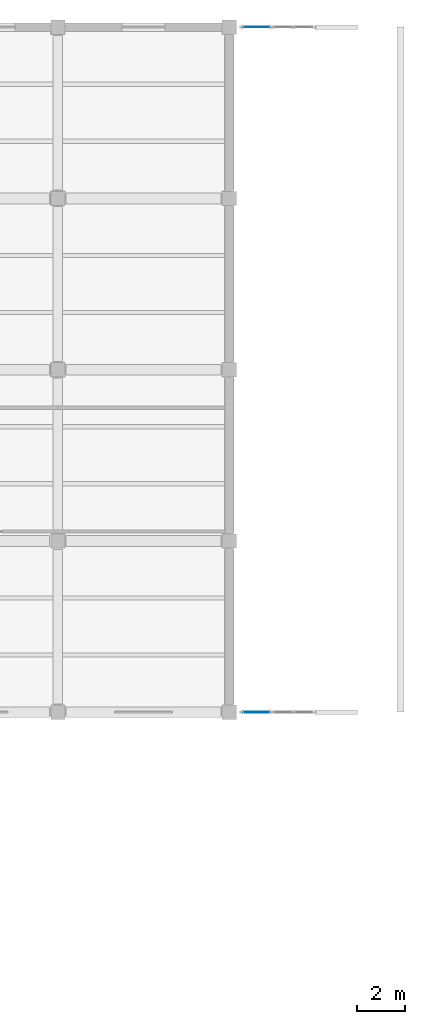
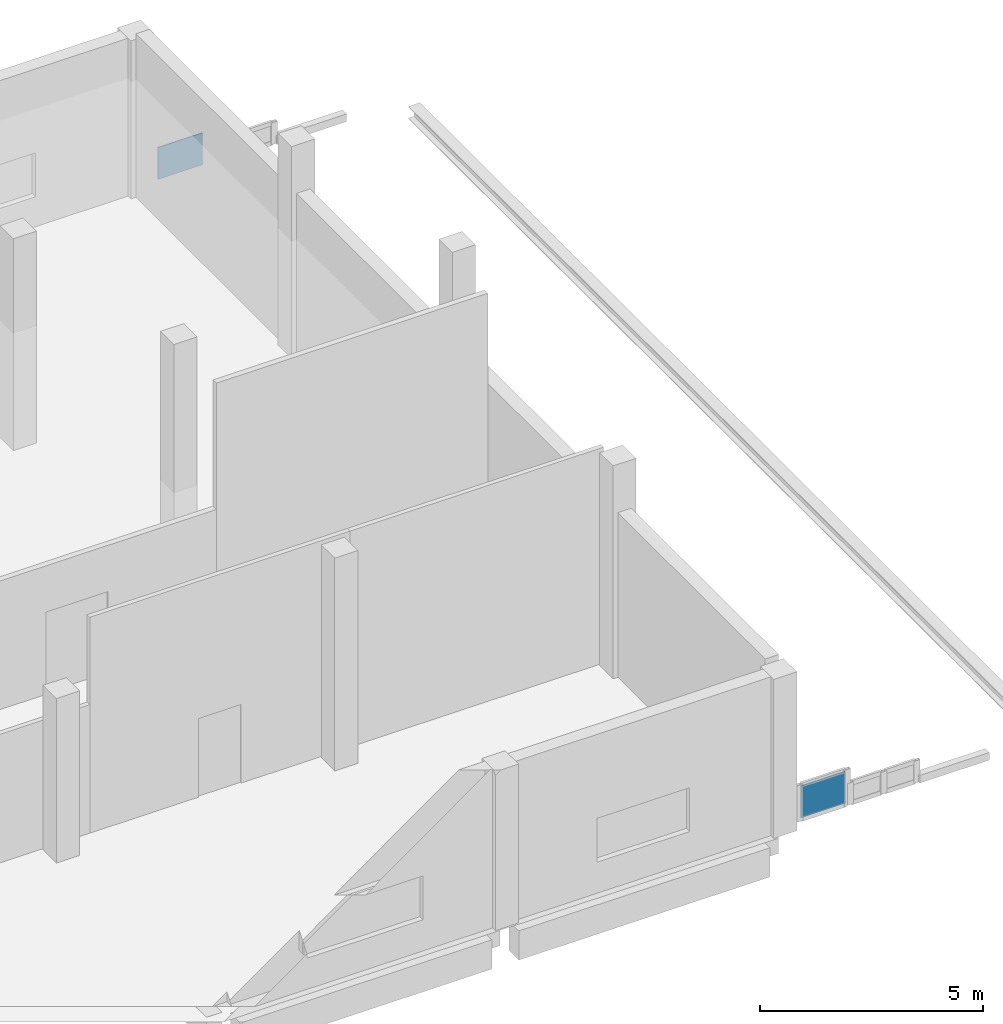
# One storey, part 84 of 105: 2 plates, 2 elements without a shape of their own.
"""IFC4 building model written with IfcOpenShell, lengths in metres."""

from ifc_helpers import new_model, si_unit, direction, frame, origin, origin_2d, place, context, subcontext, project, spatial, rectangle, extrude, material, layer, layer_set, type_object, element, aggregate, save


model = new_model("IFC4")

# Units and contexts
model_context = context("Model", 3, precision=1e-05, world=origin(), true_north=direction((0.0, 1.0)))
body_context = subcontext(model_context, "Body", "Model", "MODEL_VIEW")
ifc_project = project(units=[si_unit("LENGTHUNIT", "METRE"), si_unit("AREAUNIT", "SQUARE_METRE"), si_unit("VOLUMEUNIT", "CUBIC_METRE"), si_unit("PLANEANGLEUNIT", "RADIAN"), si_unit("MASSUNIT", "GRAM", prefix="KILO"), si_unit("THERMODYNAMICTEMPERATUREUNIT", "KELVIN"), si_unit("POWERUNIT", "WATT")], contexts=[model_context])

# Site, building, storey
site_placement = place(None, origin())
site = spatial("IfcSite", under=ifc_project, at=site_placement, CompositionType="ELEMENT")
building_placement = place(site_placement, origin())
building = spatial("IfcBuilding", under=site, at=building_placement, Name="Kaldorven Railside Theatre", CompositionType="ELEMENT")
storey_placement = place(building_placement, frame((0.0, 0.0, 9.89990234375)))
storey = spatial("IfcBuildingStorey", under=building, at=storey_placement, Name="L02", CompositionType="ELEMENT", Elevation=9.89990234375)

# Curtain wall, plate
ifc_material = material(Name="Low-E laminated solar-control glass", Category="glass")
ifc_layer_1 = layer(ifc_material, 0.159912109375, Name="Low-E laminated solar-control glass")
ifc_layer_set_1 = layer_set([ifc_layer_1], Name="Low-E laminated solar-control glass")
curtain_wall_type = type_object("IfcCurtainWallType", Name="CWT-69", PredefinedType="USERDEFINED", material=ifc_layer_set_1)
curtain_wall_1_placement = place(storey_placement, origin())
curtain_wall_1 = element("IfcCurtainWall", 1, at=curtain_wall_1_placement, inside=storey, type_object=curtain_wall_type, Name="Workshop East Gable Clerestory CWG-151", ObjectType="FLUTED GLAZING", PredefinedType="USERDEFINED")
ifc_layer_2 = layer(ifc_material, 0.028076171875, Name="Low-E laminated solar-control glass")
ifc_layer_set_2 = layer_set([ifc_layer_2], Name="Low-E laminated solar-control glass")
plate_type = type_object("IfcPlateType", Name="CWP-GLZ28", PredefinedType="CURTAIN_PANEL", material=ifc_layer_set_2)
plate_1_placement = place(storey_placement, frame((181.945068359375, 112.800048828125, 0.080078125), z_axis=(0.0, 0.0, 1.0), x_axis=(1.0, 0.0, 0.0)))
plate_1 = element("IfcPlate", 2, at=plate_1_placement, type_object=plate_type, Name="CWG-151 panel 1.1", PredefinedType="CURTAIN_PANEL", context=body_context, shape_type="SweptSolid", body=[
    extrude(rectangle(XDim=1.14990234375, YDim=0.028076171875, at=origin_2d()), origin(), (0.0, 0.0, 1.0), 0.8701171875),
])
aggregate(curtain_wall_1, [plate_1])

curtain_wall_2_placement = place(storey_placement, origin())
curtain_wall_2 = element("IfcCurtainWall", 3, at=curtain_wall_2_placement, inside=storey, type_object=curtain_wall_type, Name="Workshop North Gable Clerestory CWG-154", ObjectType="FLUTED GLAZING", PredefinedType="USERDEFINED")
plate_2_placement = place(storey_placement, frame((181.945068359375, 141.60009765625, 0.080078125), z_axis=(0.0, 0.0, 1.0), x_axis=(1.0, 0.0, 0.0)))
plate_2 = element("IfcPlate", 4, at=plate_2_placement, type_object=plate_type, Name="CWG-154 panel 1.1", PredefinedType="CURTAIN_PANEL", context=body_context, shape_type="SweptSolid", body=[
    extrude(rectangle(XDim=1.14990234375, YDim=0.028076171875, at=origin_2d()), origin(), (0.0, 0.0, 1.0), 0.8701171875),
])
aggregate(curtain_wall_2, [plate_2])

save(model, "model.ifc")
